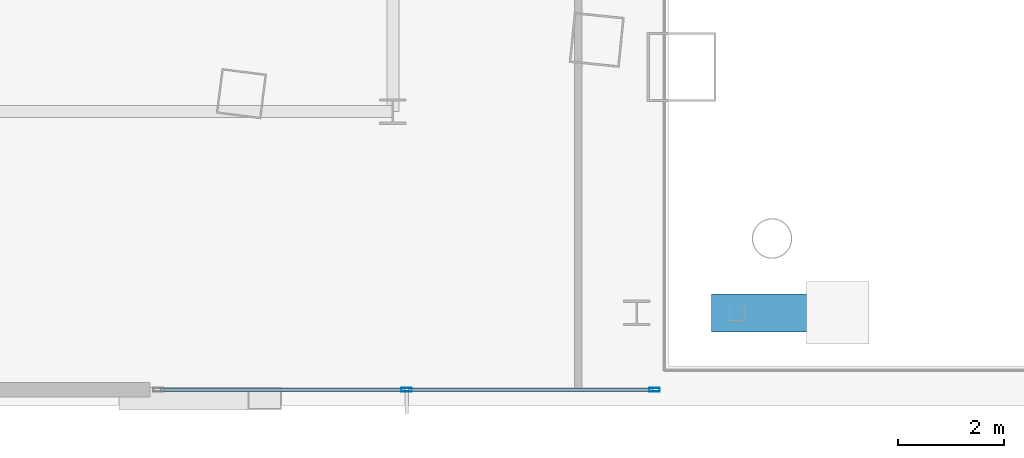
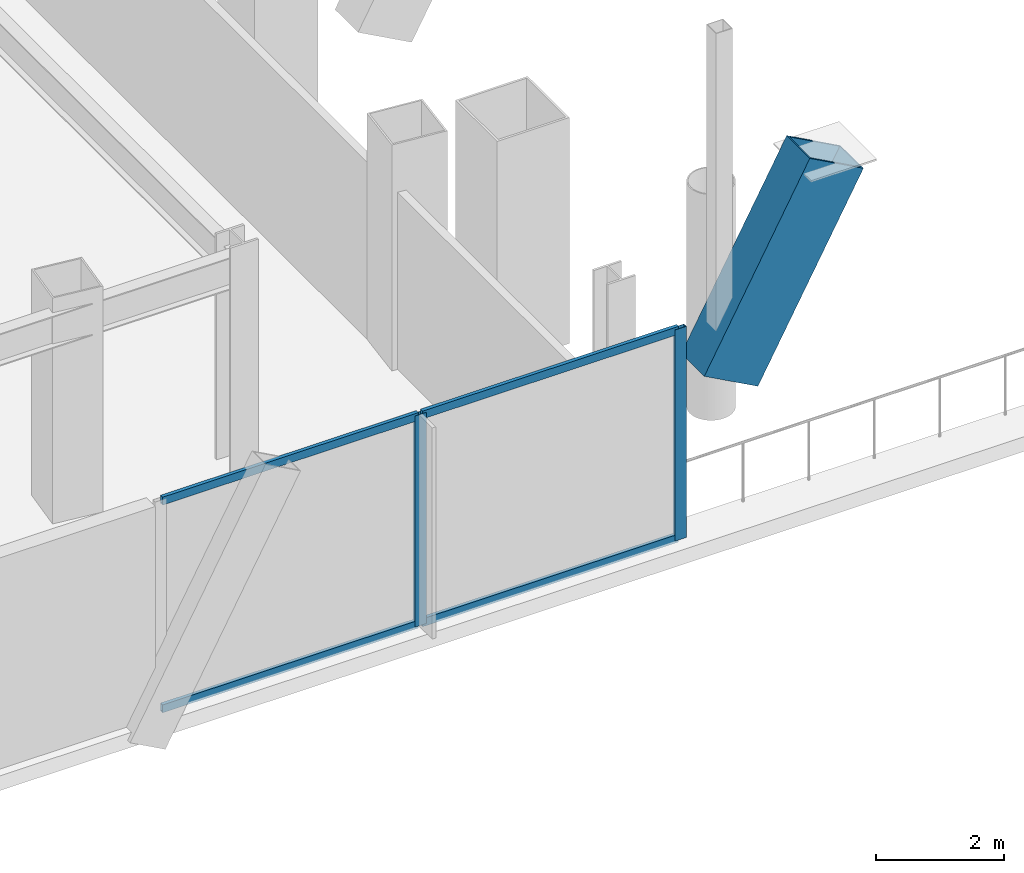
# One storey, part 8 of 42: 7 members, 1 element without a shape of its own.
"""IFC4 building model written with IfcOpenShell, lengths in metres."""

from ifc_helpers import new_model, si_unit, direction, frame, origin, origin_2d, place, context, subcontext, project, spatial, hollow_rectangle, extrude, material, layer, layer_set, material_profile, profile_set, type_object, element, aggregate, save


model = new_model("IFC4")

# Units and contexts
model_context = context("Model", 3, precision=1e-05, world=origin(), true_north=direction((0.0, 1.0)))
body_context = subcontext(model_context, "Body", "Model", "MODEL_VIEW")
ifc_project = project(units=[si_unit("LENGTHUNIT", "METRE"), si_unit("AREAUNIT", "SQUARE_METRE"), si_unit("VOLUMEUNIT", "CUBIC_METRE"), si_unit("PLANEANGLEUNIT", "RADIAN"), si_unit("MASSUNIT", "GRAM", prefix="KILO")], contexts=[model_context])

# Site, building, storey
site_placement = place(None, origin())
site = spatial("IfcSite", under=ifc_project, at=site_placement, CompositionType="ELEMENT")
building_placement = place(site_placement, origin())
building = spatial("IfcBuilding", under=site, at=building_placement, Name="Orvanel Arch Residences", CompositionType="ELEMENT")
storey_placement = place(building_placement, frame((0.0, 0.0, 5.5)))
storey = spatial("IfcBuildingStorey", under=building, at=storey_placement, Name="L01", CompositionType="ELEMENT", Elevation=5.5)

# Member
ifc_material_1 = material(Name="Structural steel AS/NZS 3678 Grade 350", Category="steel")
ifc_material_profile_1 = material_profile(ifc_material_1, hollow_rectangle(XDim=0.719970703125, YDim=1.10009765625, WallThickness=0.035888671875, at=origin_2d()), Name="BOX1100x720x36")
ifc_profile_set_1 = profile_set([ifc_material_profile_1], Name="Structural steel AS/NZS 3678 Grade 350")
member_type_1 = type_object("IfcMemberType", Name="AR-1100BOX-EXT", PredefinedType="USERDEFINED", material=ifc_profile_set_1)
member_1_placement = place(storey_placement, frame((26.300048828125, 2.199951171875, 1.778076171875), z_axis=(0.478671116441, 0.0, 0.877994283743), x_axis=(0.0, 1.0, 0.0)))
element("IfcMember", 1, at=member_1_placement, inside=storey, type_object=member_type_1, Name="Monumental Podium Arch Rib SOUTH Segment 2", ObjectType="ARCH_SEGMENT", PredefinedType="USERDEFINED", context=body_context, shape_type="SweptSolid", body=[
    extrude(hollow_rectangle(XDim=0.719970703125, YDim=1.10009765625, WallThickness=0.035888671875, at=origin_2d()), origin(), (0.0, 0.0, 1.0), 3.96923828125),
])

# Curtain wall, members
ifc_material_2 = material(Name="Bronze-anodised aluminium AA6063-T6", Category="aluminium")
ifc_layer = layer(ifc_material_2, 0.199951171875)
ifc_layer_set = layer_set([ifc_layer], Name="Bronze-anodised aluminium AA6063-T6")
curtain_wall_type = type_object("IfcCurtainWallType", Name="CW1-POD-SYS", PredefinedType="NOTDEFINED", material=ifc_layer_set)
curtain_wall_placement = place(storey_placement, origin())
curtain_wall = element("IfcCurtainWall", 2, at=curtain_wall_placement, inside=storey, type_object=curtain_wall_type, Name="L01 CW1-POD-SYS Unitised Curtain Wall", PredefinedType="NOTDEFINED")
ifc_material_profile_2 = material_profile(ifc_material_2, hollow_rectangle(XDim=0.074951171875, YDim=0.199951171875, WallThickness=0.0048828125, at=origin_2d()), Name="ALU200x75x5")
ifc_profile_set_2 = profile_set([ifc_material_profile_2], Name="Bronze-anodised aluminium AA6063-T6")
member_type_2 = type_object("IfcMemberType", Name="MUL-200x75", PredefinedType="MULLION", material=ifc_profile_set_2)
member_2_placement = place(storey_placement, frame((20.06005859375, 0.75, 0.0), z_axis=(0.0, 0.0, 1.0), x_axis=(0.0, 1.0, 0.0)))
member_2 = element("IfcMember", 3, at=member_2_placement, type_object=member_type_2, Name="CW-S1 mullion 2", PredefinedType="MULLION", context=body_context, shape_type="SweptSolid", body=[
    extrude(hollow_rectangle(XDim=0.074951171875, YDim=0.199951171875, WallThickness=0.0048828125, at=origin_2d()), origin(), (0.0, 0.0, 1.0), 4.02001953125),
])
member_3_placement = place(storey_placement, frame((24.742431640625, 0.75, 0.0), z_axis=(0.0, 0.0, 1.0), x_axis=(0.0, 1.0, 0.0)))
member_3 = element("IfcMember", 4, at=member_3_placement, type_object=member_type_2, Name="CW-S1 mullion 3", PredefinedType="MULLION", context=body_context, shape_type="SweptSolid", body=[
    extrude(hollow_rectangle(XDim=0.074951171875, YDim=0.199951171875, WallThickness=0.0048828125, at=origin_2d()), origin(), (0.0, 0.0, 1.0), 4.02001953125),
])
ifc_material_profile_3 = material_profile(ifc_material_2, hollow_rectangle(XDim=0.06494140625, YDim=0.14990234375, WallThickness=0.00390625, at=origin_2d()), Name="ALU150x65x4")
ifc_profile_set_3 = profile_set([ifc_material_profile_3], Name="Bronze-anodised aluminium AA6063-T6")
member_type_3 = type_object("IfcMemberType", Name="TRN-150x65", PredefinedType="USERDEFINED", material=ifc_profile_set_3)
member_4_placement = place(storey_placement, frame((15.4150390625, 0.75, 0.032470703125), z_axis=(1.0, 0.0, 0.0), x_axis=(0.0, 1.0, 0.0)))
member_4 = element("IfcMember", 5, at=member_4_placement, type_object=member_type_3, Name="CW-S1 transom 1.1", ObjectType="TRANSOM", PredefinedType="USERDEFINED", context=body_context, shape_type="SweptSolid", body=[
    extrude(hollow_rectangle(XDim=0.06494140625, YDim=0.14990234375, WallThickness=0.00390625, at=origin_2d()), origin(), (0.0, 0.0, 1.0), 4.607421875),
])
member_5_placement = place(storey_placement, frame((15.4150390625, 0.75, 3.987548828125), z_axis=(1.0, 0.0, 0.0), x_axis=(0.0, 1.0, 0.0)))
member_5 = element("IfcMember", 6, at=member_5_placement, type_object=member_type_3, Name="CW-S1 transom 1.2", ObjectType="TRANSOM", PredefinedType="USERDEFINED", context=body_context, shape_type="SweptSolid", body=[
    extrude(hollow_rectangle(XDim=0.06494140625, YDim=0.14990234375, WallThickness=0.00390625, at=origin_2d()), origin(), (0.0, 0.0, 1.0), 4.607421875),
])
member_6_placement = place(storey_placement, frame((20.097412109375, 0.75, 0.032470703125), z_axis=(1.0, 0.0, 0.0), x_axis=(0.0, 1.0, 0.0)))
member_6 = element("IfcMember", 7, at=member_6_placement, type_object=member_type_3, Name="CW-S1 transom 2.1", ObjectType="TRANSOM", PredefinedType="USERDEFINED", context=body_context, shape_type="SweptSolid", body=[
    extrude(hollow_rectangle(XDim=0.06494140625, YDim=0.14990234375, WallThickness=0.00390625, at=origin_2d()), origin(), (0.0, 0.0, 1.0), 4.607666015625),
])
member_7_placement = place(storey_placement, frame((20.097412109375, 0.75, 3.987548828125), z_axis=(1.0, 0.0, 0.0), x_axis=(0.0, 1.0, 0.0)))
member_7 = element("IfcMember", 8, at=member_7_placement, type_object=member_type_3, Name="CW-S1 transom 2.2", ObjectType="TRANSOM", PredefinedType="USERDEFINED", context=body_context, shape_type="SweptSolid", body=[
    extrude(hollow_rectangle(XDim=0.06494140625, YDim=0.14990234375, WallThickness=0.00390625, at=origin_2d()), origin(), (0.0, 0.0, 1.0), 4.607666015625),
])
aggregate(curtain_wall, [member_2, member_3, member_4, member_5, member_6, member_7])

save(model, "model.ifc")
